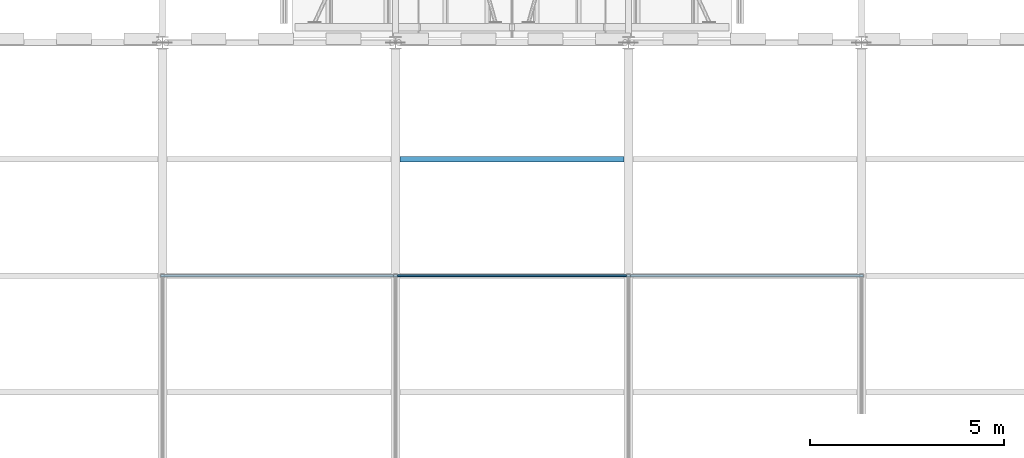
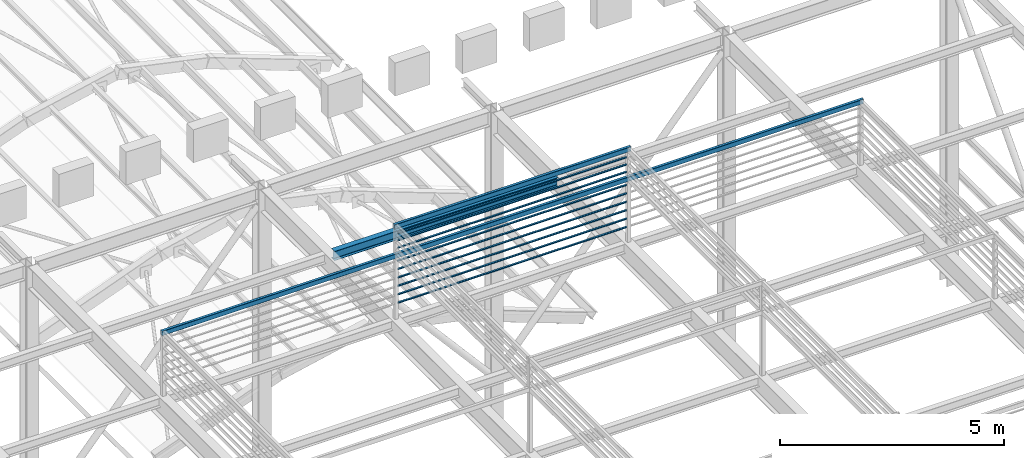
# One storey, part 17 of 57: 9 members, 3 beams.
"""IFC4 building model written with IfcOpenShell, lengths in metres."""

from ifc_helpers import new_model, si_unit, direction, frame, origin, origin_2d, place, context, subcontext, project, spatial, hollow_rectangle, i_section, extrude, material, material_profile, profile_set, type_object, element, save


model = new_model("IFC4")

# Units and contexts
model_context = context("Model", 3, precision=1e-05, world=origin(), true_north=direction((0.0, 1.0)))
body_context = subcontext(model_context, "Body", "Model", "MODEL_VIEW")
ifc_project = project(units=[si_unit("LENGTHUNIT", "METRE"), si_unit("AREAUNIT", "SQUARE_METRE"), si_unit("VOLUMEUNIT", "CUBIC_METRE"), si_unit("PLANEANGLEUNIT", "RADIAN"), si_unit("MASSUNIT", "GRAM", prefix="KILO")], contexts=[model_context])

# Site, building, storey
site_placement = place(None, origin())
site = spatial("IfcSite", under=ifc_project, at=site_placement, CompositionType="ELEMENT")
building_placement = place(site_placement, origin())
building = spatial("IfcBuilding", under=site, at=building_placement, Name="Saffron Lane Theatres", CompositionType="ELEMENT")
storey_placement = place(building_placement, frame((0.0, 0.0, 28.0)))
storey = spatial("IfcBuildingStorey", under=building, at=storey_placement, Name="Upper Roof", CompositionType="ELEMENT", Elevation=28.0)

# Beams
ifc_material_1 = material(Name="Steel Grade 350", Category="steel")
ifc_material_profile_1 = material_profile(ifc_material_1, hollow_rectangle(XDim=0.074951171875, YDim=0.125, WallThickness=0.0048828125, InnerFilletRadius=0.00244140625, OuterFilletRadius=0.007568359375, at=origin_2d()))
ifc_profile_set_1 = profile_set([ifc_material_profile_1], Name="Steel Grade 350")
beam_type_1 = type_object("IfcBeamType", Name="ST-LANTERN RING 125x75x5 RHS", PredefinedType="BEAM", material=ifc_profile_set_1)
beam_1_placement = place(storey_placement, frame((23.949951171875, 48.25, 10.5625), z_axis=(1.0, 0.0, 0.0), x_axis=(0.0, 1.0, 0.0)))
element("IfcBeam", 1, at=beam_1_placement, inside=storey, type_object=beam_type_1, Name="LR3", PredefinedType="BEAM", context=body_context, shape_type="SweptSolid", body=[
    extrude(hollow_rectangle(XDim=0.074951171875, YDim=0.125, WallThickness=0.0048828125, InnerFilletRadius=0.00244140625, OuterFilletRadius=0.007568359375, at=origin_2d()), origin(), (0.0, 0.0, 1.0), 18.10009765625),
])
beam_2_placement = place(storey_placement, frame((29.949951171875, 48.25, 11.367431640625), z_axis=(1.0, 0.0, 0.0), x_axis=(0.0, 1.0, 0.0)))
element("IfcBeam", 2, at=beam_2_placement, inside=storey, type_object=beam_type_1, Name="LR10", PredefinedType="BEAM", context=body_context, shape_type="SweptSolid", body=[
    extrude(hollow_rectangle(XDim=0.074951171875, YDim=0.125, WallThickness=0.0048828125, InnerFilletRadius=0.00244140625, OuterFilletRadius=0.007568359375, at=origin_2d()), origin(), (0.0, 0.0, 1.0), 6.10009765625),
])

# Members
ifc_material_2 = material(Name="Steel Grade 350", Category="steel")
ifc_material_profile_2 = material_profile(ifc_material_2, hollow_rectangle(XDim=0.034912109375, YDim=0.06494140625, WallThickness=0.0029296875, InnerFilletRadius=0.00146484375, OuterFilletRadius=0.00439453125, at=origin_2d()))
ifc_profile_set_2 = profile_set([ifc_material_profile_2], Name="Steel Grade 350")
member_type = type_object("IfcMemberType", Name="ST-LOUVRE SLAT 65x35x3 RHS", PredefinedType="MEMBER", material=ifc_profile_set_2)
for number, where, z_axis, x_axis, name in (
    (3, (30.050048828125, 48.25, 9.25), (1.0, 0.0, 0.0), (0.0, 0.819152044289, 0.573576436351), "LV5"),
    (4, (30.050048828125, 48.25, 9.47998046875), (1.0, 0.0, 0.0), (0.0, 0.819152044289, 0.573576436351), "LV15"),
    (5, (30.050048828125, 48.25, 9.7099609375), (1.0, 0.0, 0.0), (0.0, 0.819152044289, 0.573576436351), "LV25"),
    (6, (30.050048828125, 48.25, 9.93994140625), (1.0, 0.0, 0.0), (0.0, 0.819152044289, 0.573576436351), "LV35"),
    (7, (30.050048828125, 48.25, 10.169921875), (1.0, 0.0, 0.0), (0.0, 0.819152044289, 0.573576436351), "LV45"),
    (8, (30.050048828125, 48.25, 10.39990234375), (1.0, 0.0, 0.0), (0.0, 0.819152044289, 0.573576436351), "LV55"),
    (9, (30.050048828125, 48.25, 10.7548828125), (1.0, 0.0, 0.0), (0.0, 0.819152044289, 0.573576436351), "LV62"),
    (10, (30.050048828125, 48.25, 10.955078125), (1.0, 0.0, 0.0), (0.0, 0.819152044289, 0.573576436351), "LV68"),
    (11, (30.050048828125, 48.25, 11.155029296875), (1.0, 0.0, 0.0), (0.0, 0.819152044289, 0.573576436351), "LV74"),
):
    element("IfcMember", number, at=place(storey_placement, frame(where, z_axis=z_axis, x_axis=x_axis)), inside=storey, type_object=member_type, Name=name, PredefinedType="MEMBER", context=body_context, shape_type="SweptSolid", body=[
        extrude(hollow_rectangle(XDim=0.034912109375, YDim=0.06494140625, WallThickness=0.0029296875, InnerFilletRadius=0.00146484375, OuterFilletRadius=0.00439453125, at=origin_2d()), origin(), (0.0, 0.0, 1.0), 5.89990234375),
    ])

# Beam
ifc_material_3 = material(Name="Steel Grade 350", Category="steel")
ifc_material_profile_3 = material_profile(ifc_material_3, i_section(OverallWidth=0.14599609375, OverallDepth=0.251953125, WebThickness=0.006103515625, FlangeThickness=0.008544921875, FilletRadius=0.011962890625, at=origin_2d()))
ifc_profile_set_3 = profile_set([ifc_material_profile_3], Name="Steel Grade 350")
beam_type_2 = type_object("IfcBeamType", Name="ST-ROOF JOIST 250UB31.4", PredefinedType="JOIST", material=ifc_profile_set_3)
beam_3_placement = place(storey_placement, frame((30.114013671875, 51.25, 8.72412109375), z_axis=(1.0, 0.0, 0.0), x_axis=(0.0, 1.0, 0.0)))
element("IfcBeam", 12, at=beam_3_placement, inside=storey, type_object=beam_type_2, Name="TT33", PredefinedType="JOIST", context=body_context, shape_type="SweptSolid", body=[
    extrude(i_section(OverallWidth=0.14599609375, OverallDepth=0.251953125, WebThickness=0.006103515625, FlangeThickness=0.008544921875, FilletRadius=0.011962890625, at=origin_2d()), origin(), (0.0, 0.0, 1.0), 5.77197265625),
])

save(model, "model.ifc")
